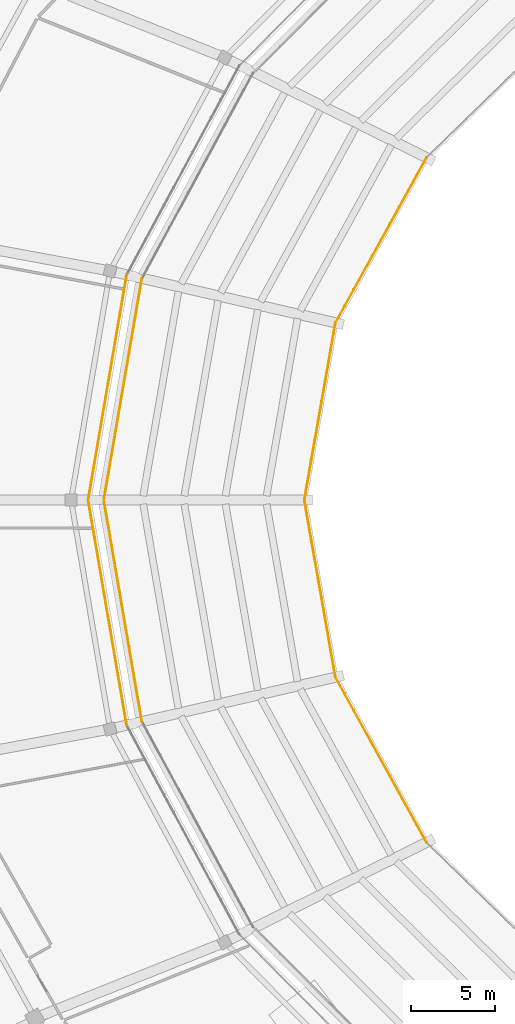
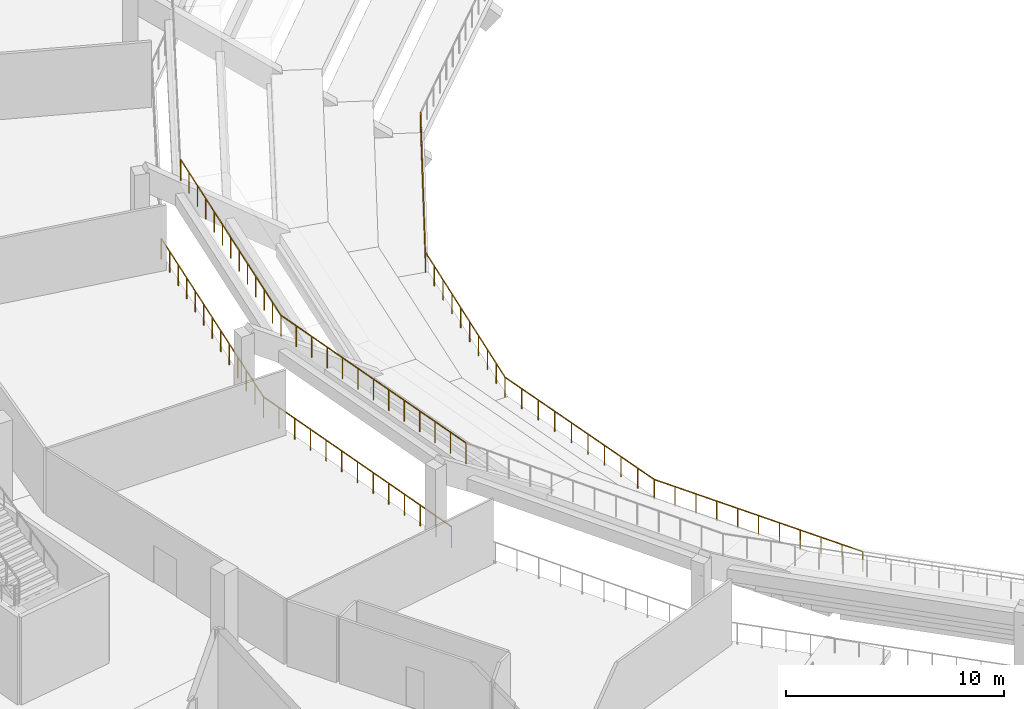
# One storey, part 155 of 178: 8 railings.
"""IFC4 building model written with IfcOpenShell, lengths in metres."""

from ifc_helpers import new_model, si_unit, direction, frame, origin, origin_2d, place, context, subcontext, project, spatial, rectangle, extrude, material, type_object, element, save


model = new_model("IFC4")

# Units and contexts
model_context = context("Model", 3, precision=1e-05, world=origin(), true_north=direction((0.0, 1.0)))
body_context = subcontext(model_context, "Body", "Model", "MODEL_VIEW")
ifc_project = project(units=[si_unit("LENGTHUNIT", "METRE"), si_unit("AREAUNIT", "SQUARE_METRE"), si_unit("VOLUMEUNIT", "CUBIC_METRE"), si_unit("PLANEANGLEUNIT", "RADIAN"), si_unit("MASSUNIT", "GRAM", prefix="KILO")], contexts=[model_context])

# Site, building, storey
site_placement = place(None, origin())
site = spatial("IfcSite", under=ifc_project, at=site_placement, CompositionType="ELEMENT")
building_placement = place(site_placement, origin())
building = spatial("IfcBuilding", under=site, at=building_placement, Name="Zlatoyarsky Gate Stadium", CompositionType="ELEMENT")
storey_placement = place(building_placement, frame((0.0, 0.0, 5.39990234375)))
storey = spatial("IfcBuildingStorey", under=building, at=storey_placement, Name="L01", CompositionType="ELEMENT", Elevation=5.39990234375)

# Railings
ifc_material_1 = material(Name="Galvanised steel sightline guardrail", Category="steel")
railing_type_1 = type_object("IfcRailingType", Name="BOWL FRONT SIGHTLINE GUARDRAIL 1150", PredefinedType="GUARDRAIL", material=ifc_material_1)
railing_1_placement = place(storey_placement, frame((64.104736328125, 100.324951171875, -3.349853515625)))
element("IfcRailing", 1, at=railing_1_placement, inside=storey, type_object=railing_type_1, Name="Lower bowl front guardrail 10", PredefinedType="GUARDRAIL", context=body_context, shape_type="SweptSolid", body=[
    extrude(rectangle(XDim=0.048095703125, YDim=0.048095703125, at=origin_2d()), frame((0.0, 0.0, 1.1259765625), z_axis=(-0.483117689449, -0.875555422656, 0.0), x_axis=(0.875555422656, -0.483117689449, 0.0)), (0.0, 0.0, 1.0), 11.197509765625),
    extrude(rectangle(XDim=0.0419921875, YDim=0.0419921875, at=origin_2d()), origin(), (0.0, 0.0, 1.0), 1.101806640625),
    extrude(rectangle(XDim=0.0419921875, YDim=0.0419921875, at=origin_2d()), frame((-0.541015625, -0.98046875, 0.0)), (0.0, 0.0, 1.0), 1.101806640625),
    extrude(rectangle(XDim=0.0419921875, YDim=0.0419921875, at=origin_2d()), frame((-1.08203125, -1.960693359375, 0.0)), (0.0, 0.0, 1.0), 1.101806640625),
    extrude(rectangle(XDim=0.0419921875, YDim=0.0419921875, at=origin_2d()), frame((-1.622802734375, -2.941162109375, 0.0)), (0.0, 0.0, 1.0), 1.101806640625),
    extrude(rectangle(XDim=0.0419921875, YDim=0.0419921875, at=origin_2d()), frame((-2.163818359375, -3.921630859375, 0.0)), (0.0, 0.0, 1.0), 1.101806640625),
    extrude(rectangle(XDim=0.0419921875, YDim=0.0419921875, at=origin_2d()), frame((-2.704833984375, -4.90185546875, 0.0)), (0.0, 0.0, 1.0), 1.101806640625),
    extrude(rectangle(XDim=0.0419921875, YDim=0.0419921875, at=origin_2d()), frame((-3.245849609375, -5.88232421875, 0.0)), (0.0, 0.0, 1.0), 1.101806640625),
    extrude(rectangle(XDim=0.0419921875, YDim=0.0419921875, at=origin_2d()), frame((-3.786865234375, -6.86279296875, 0.0)), (0.0, 0.0, 1.0), 1.101806640625),
    extrude(rectangle(XDim=0.0419921875, YDim=0.0419921875, at=origin_2d()), frame((-4.32763671875, -7.84326171875, 0.0)), (0.0, 0.0, 1.0), 1.101806640625),
    extrude(rectangle(XDim=0.0419921875, YDim=0.0419921875, at=origin_2d()), frame((-4.86865234375, -8.823486328125, 0.0)), (0.0, 0.0, 1.0), 1.101806640625),
    extrude(rectangle(XDim=0.0419921875, YDim=0.0419921875, at=origin_2d()), frame((-5.40966796875, -9.803955078125, 0.0)), (0.0, 0.0, 1.0), 1.101806640625),
])
railing_2_placement = place(storey_placement, frame((58.695068359375, 90.52099609375, -3.349853515625)))
element("IfcRailing", 2, at=railing_2_placement, inside=storey, type_object=railing_type_1, Name="Lower bowl front guardrail 11", PredefinedType="GUARDRAIL", context=body_context, shape_type="SweptSolid", body=[
    extrude(rectangle(XDim=0.048095703125, YDim=0.048095703125, at=origin_2d()), frame((0.0, 0.0, 1.1259765625), z_axis=(-0.172725175723, -0.984970057246, 0.0), x_axis=(0.984970057246, -0.172725175723, 0.0)), (0.0, 0.0, 1.0), 10.681640625),
    extrude(rectangle(XDim=0.0419921875, YDim=0.0419921875, at=origin_2d()), origin(), (0.0, 0.0, 1.0), 1.101806640625),
    extrude(rectangle(XDim=0.0419921875, YDim=0.0419921875, at=origin_2d()), frame((-0.205078125, -1.1689453125, 0.0)), (0.0, 0.0, 1.0), 1.101806640625),
    extrude(rectangle(XDim=0.0419921875, YDim=0.0419921875, at=origin_2d()), frame((-0.409912109375, -2.337890625, 0.0)), (0.0, 0.0, 1.0), 1.101806640625),
    extrude(rectangle(XDim=0.0419921875, YDim=0.0419921875, at=origin_2d()), frame((-0.614990234375, -3.507080078125, 0.0)), (0.0, 0.0, 1.0), 1.101806640625),
    extrude(rectangle(XDim=0.0419921875, YDim=0.0419921875, at=origin_2d()), frame((-0.820068359375, -4.676025390625, 0.0)), (0.0, 0.0, 1.0), 1.101806640625),
    extrude(rectangle(XDim=0.0419921875, YDim=0.0419921875, at=origin_2d()), frame((-1.02490234375, -5.844970703125, 0.0)), (0.0, 0.0, 1.0), 1.101806640625),
    extrude(rectangle(XDim=0.0419921875, YDim=0.0419921875, at=origin_2d()), frame((-1.22998046875, -7.013916015625, 0.0)), (0.0, 0.0, 1.0), 1.101806640625),
    extrude(rectangle(XDim=0.0419921875, YDim=0.0419921875, at=origin_2d()), frame((-1.43505859375, -8.18310546875, 0.0)), (0.0, 0.0, 1.0), 1.101806640625),
    extrude(rectangle(XDim=0.0419921875, YDim=0.0419921875, at=origin_2d()), frame((-1.639892578125, -9.35205078125, 0.0)), (0.0, 0.0, 1.0), 1.101806640625),
    extrude(rectangle(XDim=0.0419921875, YDim=0.0419921875, at=origin_2d()), frame((-1.844970703125, -10.52099609375, 0.0)), (0.0, 0.0, 1.0), 1.101806640625),
])
railing_3_placement = place(storey_placement, frame((56.85009765625, 80.0, -3.349853515625)))
element("IfcRailing", 3, at=railing_3_placement, inside=storey, type_object=railing_type_1, Name="Lower bowl front guardrail 12", PredefinedType="GUARDRAIL", context=body_context, shape_type="SweptSolid", body=[
    extrude(rectangle(XDim=0.048095703125, YDim=0.048095703125, at=origin_2d()), frame((0.0, 0.0, 1.1259765625), z_axis=(0.172725175723, -0.984970057246, 0.0), x_axis=(0.984970057246, 0.172725175723, 0.0)), (0.0, 0.0, 1.0), 10.681640625),
    extrude(rectangle(XDim=0.0419921875, YDim=0.0419921875, at=origin_2d()), origin(), (0.0, 0.0, 1.0), 1.101806640625),
    extrude(rectangle(XDim=0.0419921875, YDim=0.0419921875, at=origin_2d()), frame((0.205078125, -1.1689453125, 0.0)), (0.0, 0.0, 1.0), 1.101806640625),
    extrude(rectangle(XDim=0.0419921875, YDim=0.0419921875, at=origin_2d()), frame((0.409912109375, -2.337890625, 0.0)), (0.0, 0.0, 1.0), 1.101806640625),
    extrude(rectangle(XDim=0.0419921875, YDim=0.0419921875, at=origin_2d()), frame((0.614990234375, -3.507080078125, 0.0)), (0.0, 0.0, 1.0), 1.101806640625),
    extrude(rectangle(XDim=0.0419921875, YDim=0.0419921875, at=origin_2d()), frame((0.820068359375, -4.676025390625, 0.0)), (0.0, 0.0, 1.0), 1.101806640625),
    extrude(rectangle(XDim=0.0419921875, YDim=0.0419921875, at=origin_2d()), frame((1.02490234375, -5.844970703125, 0.0)), (0.0, 0.0, 1.0), 1.101806640625),
    extrude(rectangle(XDim=0.0419921875, YDim=0.0419921875, at=origin_2d()), frame((1.22998046875, -7.013916015625, 0.0)), (0.0, 0.0, 1.0), 1.101806640625),
    extrude(rectangle(XDim=0.0419921875, YDim=0.0419921875, at=origin_2d()), frame((1.43505859375, -8.18310546875, 0.0)), (0.0, 0.0, 1.0), 1.101806640625),
    extrude(rectangle(XDim=0.0419921875, YDim=0.0419921875, at=origin_2d()), frame((1.639892578125, -9.35205078125, 0.0)), (0.0, 0.0, 1.0), 1.101806640625),
    extrude(rectangle(XDim=0.0419921875, YDim=0.0419921875, at=origin_2d()), frame((1.844970703125, -10.52099609375, 0.0)), (0.0, 0.0, 1.0), 1.101806640625),
])
railing_4_placement = place(storey_placement, frame((58.695068359375, 69.47900390625, -3.349853515625)))
element("IfcRailing", 4, at=railing_4_placement, inside=storey, type_object=railing_type_1, Name="Lower bowl front guardrail 13", PredefinedType="GUARDRAIL", context=body_context, shape_type="SweptSolid", body=[
    extrude(rectangle(XDim=0.048095703125, YDim=0.048095703125, at=origin_2d()), frame((0.0, 0.0, 1.1259765625), z_axis=(0.483117689449, -0.875555422656, 0.0), x_axis=(0.875555422656, 0.483117689449, 0.0)), (0.0, 0.0, 1.0), 11.197509765625),
    extrude(rectangle(XDim=0.0419921875, YDim=0.0419921875, at=origin_2d()), origin(), (0.0, 0.0, 1.0), 1.101806640625),
    extrude(rectangle(XDim=0.0419921875, YDim=0.0419921875, at=origin_2d()), frame((0.541015625, -0.98046875, 0.0)), (0.0, 0.0, 1.0), 1.101806640625),
    extrude(rectangle(XDim=0.0419921875, YDim=0.0419921875, at=origin_2d()), frame((1.08203125, -1.960693359375, 0.0)), (0.0, 0.0, 1.0), 1.101806640625),
    extrude(rectangle(XDim=0.0419921875, YDim=0.0419921875, at=origin_2d()), frame((1.622802734375, -2.941162109375, 0.0)), (0.0, 0.0, 1.0), 1.101806640625),
    extrude(rectangle(XDim=0.0419921875, YDim=0.0419921875, at=origin_2d()), frame((2.163818359375, -3.921630859375, 0.0)), (0.0, 0.0, 1.0), 1.101806640625),
    extrude(rectangle(XDim=0.0419921875, YDim=0.0419921875, at=origin_2d()), frame((2.704833984375, -4.90185546875, 0.0)), (0.0, 0.0, 1.0), 1.101806640625),
    extrude(rectangle(XDim=0.0419921875, YDim=0.0419921875, at=origin_2d()), frame((3.245849609375, -5.88232421875, 0.0)), (0.0, 0.0, 1.0), 1.101806640625),
    extrude(rectangle(XDim=0.0419921875, YDim=0.0419921875, at=origin_2d()), frame((3.786865234375, -6.86279296875, 0.0)), (0.0, 0.0, 1.0), 1.101806640625),
    extrude(rectangle(XDim=0.0419921875, YDim=0.0419921875, at=origin_2d()), frame((4.32763671875, -7.84326171875, 0.0)), (0.0, 0.0, 1.0), 1.101806640625),
    extrude(rectangle(XDim=0.0419921875, YDim=0.0419921875, at=origin_2d()), frame((4.86865234375, -8.823486328125, 0.0)), (0.0, 0.0, 1.0), 1.101806640625),
    extrude(rectangle(XDim=0.0419921875, YDim=0.0419921875, at=origin_2d()), frame((5.40966796875, -9.803955078125, 0.0)), (0.0, 0.0, 1.0), 1.101806640625),
])
ifc_material_2 = material(Name="Powder-coated steel tubular guardrail", Category="steel")
railing_type_2 = type_object("IfcRailingType", Name="CONCOURSE SLAB EDGE GUARDRAIL 1200", PredefinedType="GUARDRAIL", material=ifc_material_2)
railing_5_placement = place(storey_placement, frame((47.20068359375, 93.109130859375, 4.25)))
element("IfcRailing", 5, at=railing_5_placement, inside=storey, type_object=railing_type_2, Name="Lower bowl back guardrail 11", PredefinedType="GUARDRAIL", context=body_context, shape_type="SweptSolid", body=[
    extrude(rectangle(XDim=0.048095703125, YDim=0.048095703125, at=origin_2d()), frame((0.0, 0.0, 1.17578125), z_axis=(-0.169215992546, -0.985578991186, 0.0), x_axis=(0.985578991186, -0.169215992546, 0.0)), (0.0, 0.0, 1.0), 13.301025390625),
    extrude(rectangle(XDim=0.0419921875, YDim=0.0419921875, at=origin_2d()), origin(), (0.0, 0.0, 1.0), 1.15185546875),
    extrude(rectangle(XDim=0.0419921875, YDim=0.0419921875, at=origin_2d()), frame((-0.1875, -1.092529296875, 0.0)), (0.0, 0.0, 1.0), 1.15185546875),
    extrude(rectangle(XDim=0.0419921875, YDim=0.0419921875, at=origin_2d()), frame((-0.375, -2.184814453125, 0.0)), (0.0, 0.0, 1.0), 1.15185546875),
    extrude(rectangle(XDim=0.0419921875, YDim=0.0419921875, at=origin_2d()), frame((-0.562744140625, -3.27734375, 0.0)), (0.0, 0.0, 1.0), 1.15185546875),
    extrude(rectangle(XDim=0.0419921875, YDim=0.0419921875, at=origin_2d()), frame((-0.750244140625, -4.36962890625, 0.0)), (0.0, 0.0, 1.0), 1.15185546875),
    extrude(rectangle(XDim=0.0419921875, YDim=0.0419921875, at=origin_2d()), frame((-0.937744140625, -5.462158203125, 0.0)), (0.0, 0.0, 1.0), 1.15185546875),
    extrude(rectangle(XDim=0.0419921875, YDim=0.0419921875, at=origin_2d()), frame((-1.12548828125, -6.5546875, 0.0)), (0.0, 0.0, 1.0), 1.15185546875),
    extrude(rectangle(XDim=0.0419921875, YDim=0.0419921875, at=origin_2d()), frame((-1.31298828125, -7.64697265625, 0.0)), (0.0, 0.0, 1.0), 1.15185546875),
    extrude(rectangle(XDim=0.0419921875, YDim=0.0419921875, at=origin_2d()), frame((-1.50048828125, -8.739501953125, 0.0)), (0.0, 0.0, 1.0), 1.15185546875),
    extrude(rectangle(XDim=0.0419921875, YDim=0.0419921875, at=origin_2d()), frame((-1.68798828125, -9.831787109375, 0.0)), (0.0, 0.0, 1.0), 1.15185546875),
    extrude(rectangle(XDim=0.0419921875, YDim=0.0419921875, at=origin_2d()), frame((-1.87548828125, -10.92431640625, 0.0)), (0.0, 0.0, 1.0), 1.15185546875),
    extrude(rectangle(XDim=0.0419921875, YDim=0.0419921875, at=origin_2d()), frame((-2.063232421875, -12.0166015625, 0.0)), (0.0, 0.0, 1.0), 1.15185546875),
    extrude(rectangle(XDim=0.0419921875, YDim=0.0419921875, at=origin_2d()), frame((-2.250732421875, -13.109130859375, 0.0)), (0.0, 0.0, 1.0), 1.15185546875),
])
railing_6_placement = place(storey_placement, frame((46.30224609375, 93.349853515625, 0.0)))
element("IfcRailing", 6, at=railing_6_placement, inside=storey, type_object=railing_type_2, Name="L01 inner bowl edge guardrail 11", PredefinedType="GUARDRAIL", context=body_context, shape_type="SweptSolid", body=[
    extrude(rectangle(XDim=0.048095703125, YDim=0.048095703125, at=origin_2d()), frame((0.0, 0.0, 1.17578125), z_axis=(-0.168510493397, -0.985699859803, 0.0), x_axis=(0.985699859803, -0.168510493397, 0.0)), (0.0, 0.0, 1.0), 13.54345703125),
    extrude(rectangle(XDim=0.0419921875, YDim=0.0419921875, at=origin_2d()), origin(), (0.0, 0.0, 1.0), 1.15185546875),
    extrude(rectangle(XDim=0.0419921875, YDim=0.0419921875, at=origin_2d()), frame((-0.190185546875, -1.112548828125, 0.0)), (0.0, 0.0, 1.0), 1.15185546875),
    extrude(rectangle(XDim=0.0419921875, YDim=0.0419921875, at=origin_2d()), frame((-0.38037109375, -2.22509765625, 0.0)), (0.0, 0.0, 1.0), 1.15185546875),
    extrude(rectangle(XDim=0.0419921875, YDim=0.0419921875, at=origin_2d()), frame((-0.570556640625, -3.33740234375, 0.0)), (0.0, 0.0, 1.0), 1.15185546875),
    extrude(rectangle(XDim=0.0419921875, YDim=0.0419921875, at=origin_2d()), frame((-0.7607421875, -4.449951171875, 0.0)), (0.0, 0.0, 1.0), 1.15185546875),
    extrude(rectangle(XDim=0.0419921875, YDim=0.0419921875, at=origin_2d()), frame((-0.950927734375, -5.5625, 0.0)), (0.0, 0.0, 1.0), 1.15185546875),
    extrude(rectangle(XDim=0.0419921875, YDim=0.0419921875, at=origin_2d()), frame((-1.14111328125, -6.6748046875, 0.0)), (0.0, 0.0, 1.0), 1.15185546875),
    extrude(rectangle(XDim=0.0419921875, YDim=0.0419921875, at=origin_2d()), frame((-1.331298828125, -7.787353515625, 0.0)), (0.0, 0.0, 1.0), 1.15185546875),
    extrude(rectangle(XDim=0.0419921875, YDim=0.0419921875, at=origin_2d()), frame((-1.521484375, -8.89990234375, 0.0)), (0.0, 0.0, 1.0), 1.15185546875),
    extrude(rectangle(XDim=0.0419921875, YDim=0.0419921875, at=origin_2d()), frame((-1.711669921875, -10.012451171875, 0.0)), (0.0, 0.0, 1.0), 1.15185546875),
    extrude(rectangle(XDim=0.0419921875, YDim=0.0419921875, at=origin_2d()), frame((-1.90185546875, -11.125, 0.0)), (0.0, 0.0, 1.0), 1.15185546875),
    extrude(rectangle(XDim=0.0419921875, YDim=0.0419921875, at=origin_2d()), frame((-2.092041015625, -12.2373046875, 0.0)), (0.0, 0.0, 1.0), 1.15185546875),
    extrude(rectangle(XDim=0.0419921875, YDim=0.0419921875, at=origin_2d()), frame((-2.2822265625, -13.349853515625, 0.0)), (0.0, 0.0, 1.0), 1.15185546875),
])
railing_7_placement = place(storey_placement, frame((44.949951171875, 80.0, 4.25)))
element("IfcRailing", 7, at=railing_7_placement, inside=storey, type_object=railing_type_2, Name="Lower bowl back guardrail 12", PredefinedType="GUARDRAIL", context=body_context, shape_type="SweptSolid", body=[
    extrude(rectangle(XDim=0.048095703125, YDim=0.048095703125, at=origin_2d()), frame((0.0, 0.0, 1.17578125), z_axis=(0.169215992546, -0.985578991186, 0.0), x_axis=(0.985578991186, 0.169215992546, 0.0)), (0.0, 0.0, 1.0), 13.301025390625),
    extrude(rectangle(XDim=0.0419921875, YDim=0.0419921875, at=origin_2d()), origin(), (0.0, 0.0, 1.0), 1.15185546875),
    extrude(rectangle(XDim=0.0419921875, YDim=0.0419921875, at=origin_2d()), frame((0.1875, -1.092529296875, 0.0)), (0.0, 0.0, 1.0), 1.15185546875),
    extrude(rectangle(XDim=0.0419921875, YDim=0.0419921875, at=origin_2d()), frame((0.375, -2.184814453125, 0.0)), (0.0, 0.0, 1.0), 1.15185546875),
    extrude(rectangle(XDim=0.0419921875, YDim=0.0419921875, at=origin_2d()), frame((0.562744140625, -3.27734375, 0.0)), (0.0, 0.0, 1.0), 1.15185546875),
    extrude(rectangle(XDim=0.0419921875, YDim=0.0419921875, at=origin_2d()), frame((0.750244140625, -4.36962890625, 0.0)), (0.0, 0.0, 1.0), 1.15185546875),
    extrude(rectangle(XDim=0.0419921875, YDim=0.0419921875, at=origin_2d()), frame((0.937744140625, -5.462158203125, 0.0)), (0.0, 0.0, 1.0), 1.15185546875),
    extrude(rectangle(XDim=0.0419921875, YDim=0.0419921875, at=origin_2d()), frame((1.12548828125, -6.5546875, 0.0)), (0.0, 0.0, 1.0), 1.15185546875),
    extrude(rectangle(XDim=0.0419921875, YDim=0.0419921875, at=origin_2d()), frame((1.31298828125, -7.64697265625, 0.0)), (0.0, 0.0, 1.0), 1.15185546875),
    extrude(rectangle(XDim=0.0419921875, YDim=0.0419921875, at=origin_2d()), frame((1.50048828125, -8.739501953125, 0.0)), (0.0, 0.0, 1.0), 1.15185546875),
    extrude(rectangle(XDim=0.0419921875, YDim=0.0419921875, at=origin_2d()), frame((1.68798828125, -9.831787109375, 0.0)), (0.0, 0.0, 1.0), 1.15185546875),
    extrude(rectangle(XDim=0.0419921875, YDim=0.0419921875, at=origin_2d()), frame((1.87548828125, -10.92431640625, 0.0)), (0.0, 0.0, 1.0), 1.15185546875),
    extrude(rectangle(XDim=0.0419921875, YDim=0.0419921875, at=origin_2d()), frame((2.063232421875, -12.0166015625, 0.0)), (0.0, 0.0, 1.0), 1.15185546875),
    extrude(rectangle(XDim=0.0419921875, YDim=0.0419921875, at=origin_2d()), frame((2.250732421875, -13.109130859375, 0.0)), (0.0, 0.0, 1.0), 1.15185546875),
])
railing_8_placement = place(storey_placement, frame((44.02001953125, 80.0, 0.0)))
element("IfcRailing", 8, at=railing_8_placement, inside=storey, type_object=railing_type_2, Name="L01 inner bowl edge guardrail 12", PredefinedType="GUARDRAIL", context=body_context, shape_type="SweptSolid", body=[
    extrude(rectangle(XDim=0.048095703125, YDim=0.048095703125, at=origin_2d()), frame((0.0, 0.0, 1.17578125), z_axis=(0.168510493397, -0.985699859803, 0.0), x_axis=(0.985699859803, 0.168510493397, 0.0)), (0.0, 0.0, 1.0), 13.54345703125),
    extrude(rectangle(XDim=0.0419921875, YDim=0.0419921875, at=origin_2d()), origin(), (0.0, 0.0, 1.0), 1.15185546875),
    extrude(rectangle(XDim=0.0419921875, YDim=0.0419921875, at=origin_2d()), frame((0.190185546875, -1.112548828125, 0.0)), (0.0, 0.0, 1.0), 1.15185546875),
    extrude(rectangle(XDim=0.0419921875, YDim=0.0419921875, at=origin_2d()), frame((0.38037109375, -2.22509765625, 0.0)), (0.0, 0.0, 1.0), 1.15185546875),
    extrude(rectangle(XDim=0.0419921875, YDim=0.0419921875, at=origin_2d()), frame((0.570556640625, -3.33740234375, 0.0)), (0.0, 0.0, 1.0), 1.15185546875),
    extrude(rectangle(XDim=0.0419921875, YDim=0.0419921875, at=origin_2d()), frame((0.7607421875, -4.449951171875, 0.0)), (0.0, 0.0, 1.0), 1.15185546875),
    extrude(rectangle(XDim=0.0419921875, YDim=0.0419921875, at=origin_2d()), frame((0.950927734375, -5.5625, 0.0)), (0.0, 0.0, 1.0), 1.15185546875),
    extrude(rectangle(XDim=0.0419921875, YDim=0.0419921875, at=origin_2d()), frame((1.14111328125, -6.6748046875, 0.0)), (0.0, 0.0, 1.0), 1.15185546875),
    extrude(rectangle(XDim=0.0419921875, YDim=0.0419921875, at=origin_2d()), frame((1.331298828125, -7.787353515625, 0.0)), (0.0, 0.0, 1.0), 1.15185546875),
    extrude(rectangle(XDim=0.0419921875, YDim=0.0419921875, at=origin_2d()), frame((1.521484375, -8.89990234375, 0.0)), (0.0, 0.0, 1.0), 1.15185546875),
    extrude(rectangle(XDim=0.0419921875, YDim=0.0419921875, at=origin_2d()), frame((1.711669921875, -10.012451171875, 0.0)), (0.0, 0.0, 1.0), 1.15185546875),
    extrude(rectangle(XDim=0.0419921875, YDim=0.0419921875, at=origin_2d()), frame((1.90185546875, -11.125, 0.0)), (0.0, 0.0, 1.0), 1.15185546875),
    extrude(rectangle(XDim=0.0419921875, YDim=0.0419921875, at=origin_2d()), frame((2.092041015625, -12.2373046875, 0.0)), (0.0, 0.0, 1.0), 1.15185546875),
    extrude(rectangle(XDim=0.0419921875, YDim=0.0419921875, at=origin_2d()), frame((2.2822265625, -13.349853515625, 0.0)), (0.0, 0.0, 1.0), 1.15185546875),
])

save(model, "model.ifc")
